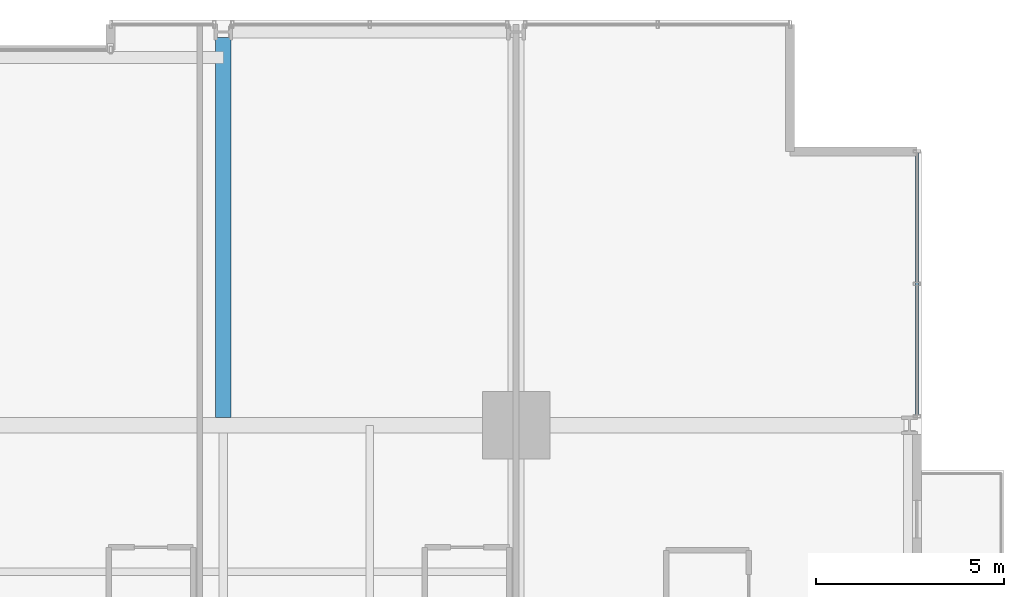
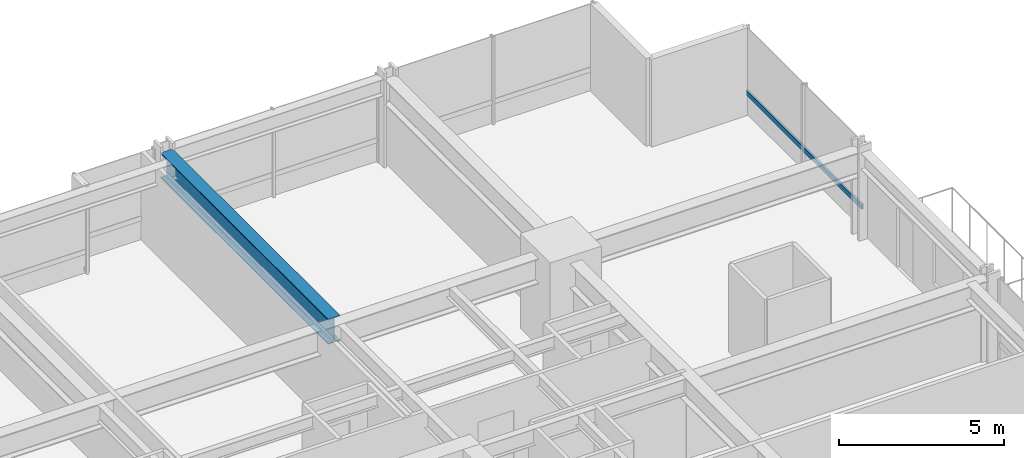
# One storey, part 26 of 38: 1 beam, 1 member, 1 element without a shape of its own.
"""IFC4 building model written with IfcOpenShell, lengths in metres."""

from ifc_helpers import new_model, si_unit, direction, frame, origin, origin_2d, place, context, subcontext, project, spatial, hollow_rectangle, i_section, extrude, material, layer, layer_set, material_profile, profile_set, type_object, element, aggregate, save


model = new_model("IFC4")

# Units and contexts
model_context = context("Model", 3, precision=1e-05, world=origin(), true_north=direction((0.0, 1.0)))
body_context = subcontext(model_context, "Body", "Model", "MODEL_VIEW")
ifc_project = project(units=[si_unit("LENGTHUNIT", "METRE"), si_unit("AREAUNIT", "SQUARE_METRE"), si_unit("VOLUMEUNIT", "CUBIC_METRE"), si_unit("PLANEANGLEUNIT", "RADIAN"), si_unit("MASSUNIT", "GRAM", prefix="KILO")], contexts=[model_context])

# Site, building, storey
site_placement = place(None, origin())
site = spatial("IfcSite", under=ifc_project, at=site_placement, CompositionType="ELEMENT")
building_placement = place(site_placement, origin())
building = spatial("IfcBuilding", under=site, at=building_placement, Name="Drelvath Grand Hotel", CompositionType="ELEMENT")
storey_placement = place(building_placement, frame((0.0, 0.0, 50.699951171875)))
storey = spatial("IfcBuildingStorey", under=building, at=storey_placement, Name="L11", CompositionType="ELEMENT", Elevation=50.699951171875)

# Curtain wall, member
ifc_material_1 = material(Name="Warm Bronze Anodised Aluminium Frame", Category="aluminium")
ifc_layer = layer(ifc_material_1, 0.199951171875)
ifc_layer_set = layer_set([ifc_layer], Name="Warm Bronze Anodised Aluminium Frame")
curtain_wall_type = type_object("IfcCurtainWallType", Name="Stick Curtain Wall CW-02 Warm Bronze Low-Rise", PredefinedType="NOTDEFINED", material=ifc_layer_set)
curtain_wall_placement = place(storey_placement, origin())
curtain_wall = element("IfcCurtainWall", 1, at=curtain_wall_placement, inside=storey, type_object=curtain_wall_type, Name="L11 CW-02 Curtain Wall CW02-L11-EN3", PredefinedType="NOTDEFINED")
ifc_material_profile_1 = material_profile(ifc_material_1, hollow_rectangle(XDim=0.074951171875, YDim=0.179931640625, WallThickness=0.0048828125, at=origin_2d()), Name="HSS180X75X5")
ifc_profile_set_1 = profile_set([ifc_material_profile_1], Name="Warm Bronze Anodised Aluminium Frame")
member_type = type_object("IfcMemberType", Name="Curtain Wall Horizontal Transom CW-02 HSS180X75X5", PredefinedType="USERDEFINED", material=ifc_profile_set_1)
member_placement = place(storey_placement, frame((26.8798828125, 50.4599609375, 0.81005859375), z_axis=(0.0, -1.0, 0.0), x_axis=(1.0, 0.0, 0.0)))
member = element("IfcMember", 2, at=member_placement, type_object=member_type, Name="CW02-L11-EN3 Sill Transom", ObjectType="TRANSOM", PredefinedType="USERDEFINED", context=body_context, shape_type="SweptSolid", body=[
    extrude(hollow_rectangle(XDim=0.074951171875, YDim=0.179931640625, WallThickness=0.0048828125, at=origin_2d()), origin(), (0.0, 0.0, 1.0), 6.97900390625),
])
aggregate(curtain_wall, [member])

# Beam
ifc_material_2 = material(Name="Steel ASTM A992 Gr 50", Category="steel")
ifc_material_profile_2 = material_profile(ifc_material_2, i_section(OverallWidth=0.418212890625, OverallDepth=0.926513671875, WebThickness=0.019287109375, FlangeThickness=0.031982421875, FilletRadius=0.028076171875, at=origin_2d()), Name="W36X231")
ifc_profile_set_2 = profile_set([ifc_material_profile_2], Name="Steel ASTM A992 Gr 50")
beam_type = type_object("IfcBeamType", Name="Primary Floor Girder W36X231", PredefinedType="BEAM", material=ifc_profile_set_2)
beam_placement = place(storey_placement, frame((8.39990234375, 43.4091796875, 2.77685546875), z_axis=(0.0, 1.0, 0.0), x_axis=(-1.0, 0.0, 0.0)))
element("IfcBeam", 3, at=beam_placement, inside=storey, type_object=beam_type, Name="L11 North Wing Girder 6", PredefinedType="BEAM", context=body_context, shape_type="SweptSolid", body=[
    extrude(i_section(OverallWidth=0.418212890625, OverallDepth=0.926513671875, WebThickness=0.019287109375, FlangeThickness=0.031982421875, FilletRadius=0.028076171875, at=origin_2d()), origin(), (0.0, 0.0, 1.0), 10.130859375),
])

save(model, "model.ifc")
